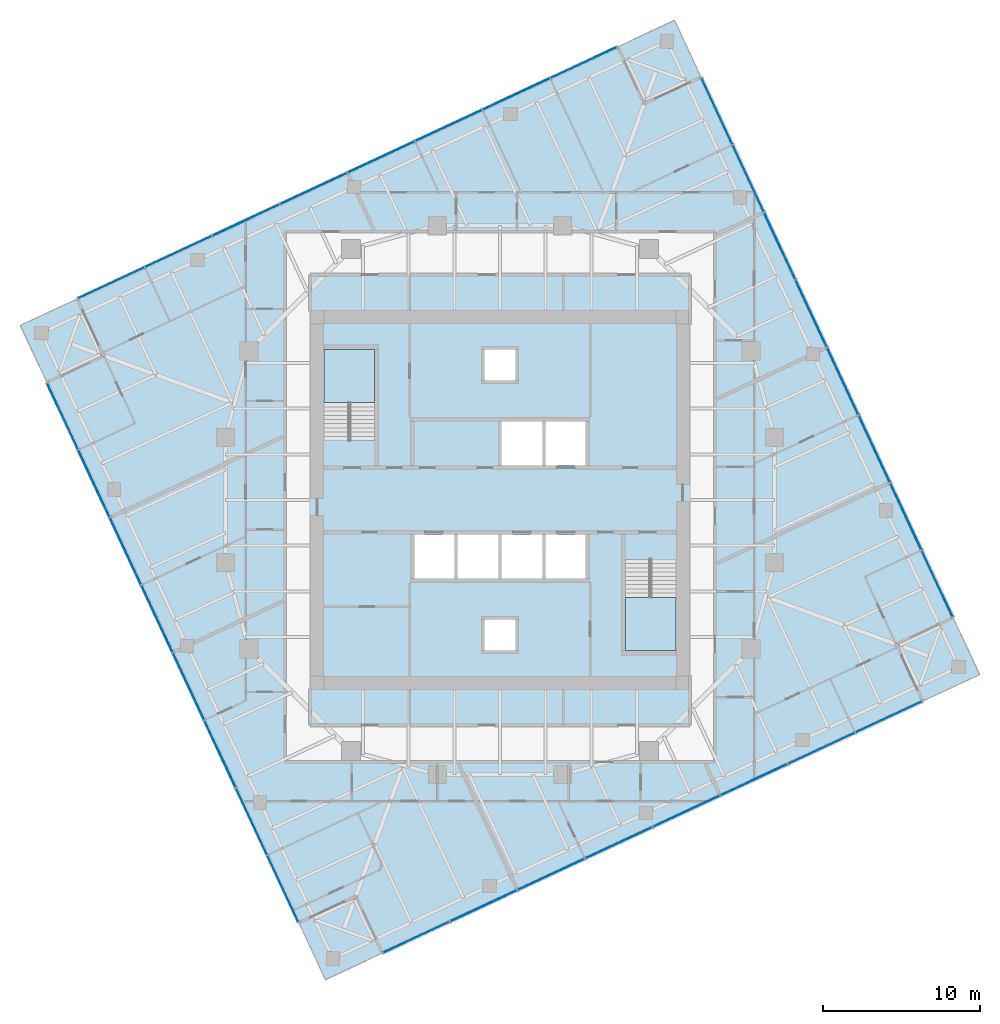
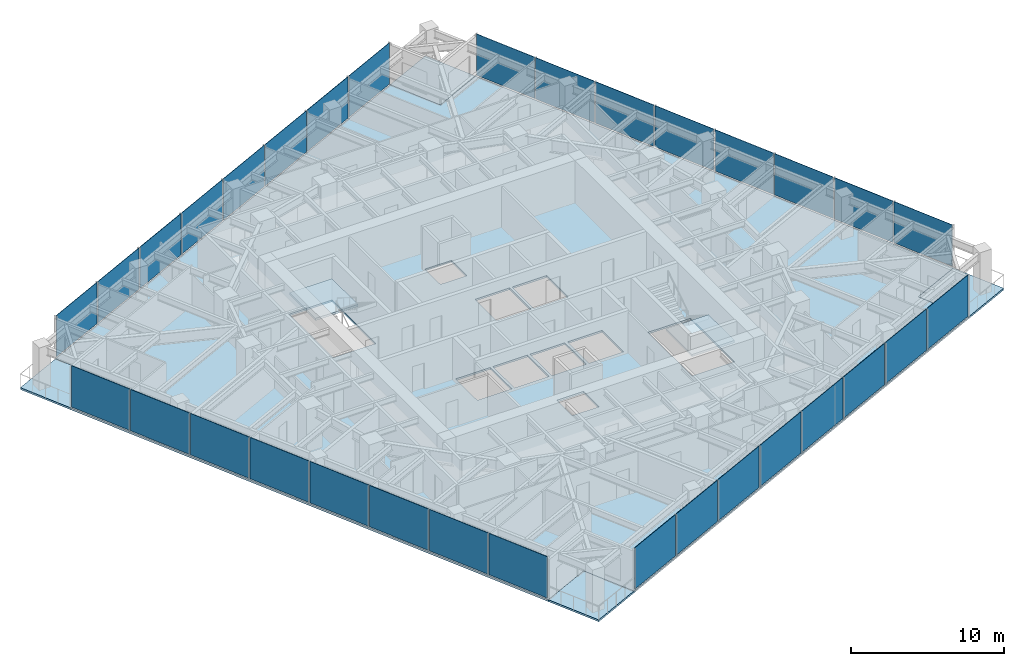
# One storey, part 6 of 12: 32 plates, 7 slabs, 6 elements without a shape of their own.
"""IFC4 building model written with IfcOpenShell, lengths in metres."""

from ifc_helpers import new_model, si_unit, direction, frame, origin, origin_2d, place, context, subcontext, project, spatial, polyline, rectangle, outline, extrude, material, layer, layer_set, type_object, element, aggregate, save


model = new_model("IFC4")

# Units and contexts
model_context = context("Model", 3, precision=1e-05, world=origin(), true_north=direction((0.0, 1.0)))
body_context = subcontext(model_context, "Body", "Model", "MODEL_VIEW")
ifc_project = project(units=[si_unit("LENGTHUNIT", "METRE"), si_unit("AREAUNIT", "SQUARE_METRE"), si_unit("VOLUMEUNIT", "CUBIC_METRE"), si_unit("PLANEANGLEUNIT", "RADIAN"), si_unit("MASSUNIT", "GRAM", prefix="KILO")], contexts=[model_context])

# Site, building, storey
site_placement = place(None, origin())
site = spatial("IfcSite", under=ifc_project, at=site_placement, CompositionType="ELEMENT")
building_placement = place(site_placement, origin())
building = spatial("IfcBuilding", under=site, at=building_placement, Name="Torsade Residences", CompositionType="ELEMENT")
storey_placement = place(building_placement, frame((0.0, 0.0, 189.60009765625)))
storey = spatial("IfcBuildingStorey", under=building, at=storey_placement, Name="L52", CompositionType="ELEMENT", Elevation=189.60009765625)

# Slab
ifc_material_1 = material(Name="Concrete 40 MPa", Category="concrete")
ifc_layer_1 = layer(ifc_material_1, 0.14990234375)
ifc_layer_set_1 = layer_set([ifc_layer_1], Name="Concrete 40 MPa")
slab_type_1 = type_object("IfcSlabType", Name="COMPOSITE FLOOR SLAB 150", PredefinedType="FLOOR", material=ifc_layer_set_1)
slab_1_placement = place(storey_placement, frame((0.0, 0.0, -0.150146484375)))
element("IfcSlab", 1, at=slab_1_placement, inside=storey, type_object=slab_type_1, Name="Floor slab L52", PredefinedType="FLOOR", context=body_context, shape_type="SweptSolid", body=[
    extrude(outline(polyline([(32.50048828125, 1.125244140625), (66.940185546875, 17.1845703125), (65.24951171875, 20.809814453125), (68.874755859375, 22.50048828125), (52.8154296875, 56.940185546875), (49.190185546875, 55.24951171875), (47.49951171875, 58.874755859375), (13.059814453125, 42.8154296875), (14.75048828125, 39.190185546875), (11.125244140625, 37.49951171875), (27.1845703125, 3.059814453125), (30.809814453125, 4.75048828125), (32.50048828125, 1.125244140625)]), holes=[polyline([(51.199951171875, 26.1201171875), (48.0, 26.1201171875), (48.0, 20.39990234375), (51.199951171875, 20.39990234375), (51.199951171875, 26.1201171875)]), polyline([(45.5, 27.800048828125), (42.89990234375, 27.800048828125), (42.89990234375, 25.0), (45.5, 25.0), (45.5, 27.800048828125)]), polyline([(45.5, 35.0), (42.89990234375, 35.0), (42.89990234375, 32.199951171875), (45.5, 32.199951171875), (45.5, 35.0)]), polyline([(42.699951171875, 25.0), (42.699951171875, 27.800048828125), (40.10009765625, 27.800048828125), (40.10009765625, 25.0), (42.699951171875, 25.0)]), polyline([(42.699951171875, 35.0), (40.10009765625, 35.0), (40.10009765625, 32.199951171875), (42.699951171875, 32.199951171875), (42.699951171875, 35.0)]), polyline([(41.0, 22.39990234375), (39.0, 22.39990234375), (39.0, 20.39990234375), (41.0, 20.39990234375), (41.0, 22.39990234375)]), polyline([(41.0, 37.60009765625), (41.0, 39.60009765625), (39.0, 39.60009765625), (39.0, 37.60009765625), (41.0, 37.60009765625)]), polyline([(39.89990234375, 25.0), (39.89990234375, 27.800048828125), (37.300048828125, 27.800048828125), (37.300048828125, 25.0), (39.89990234375, 25.0)]), polyline([(37.10009765625, 27.800048828125), (34.5, 27.800048828125), (34.5, 25.0), (37.10009765625, 25.0), (37.10009765625, 27.800048828125)]), polyline([(32.0, 33.8798828125), (32.0, 39.60009765625), (28.800048828125, 39.60009765625), (28.800048828125, 33.8798828125), (32.0, 33.8798828125)])]), origin(), (0.0, 0.0, 1.0), 0.150146484375),
])

# Curtain wall, plates
ifc_material_2 = material(Name="Aluminium and glass", Category="aluminium")
curtain_wall_type = type_object("IfcCurtainWallType", Name="FRITTED GLASS CURTAIN WALL MID ZONE", PredefinedType="NOTDEFINED", material=ifc_material_2)
curtain_wall_1_placement = place(storey_placement, origin())
curtain_wall_1 = element("IfcCurtainWall", 2, at=curtain_wall_1_placement, inside=storey, type_object=curtain_wall_type, Name="Curtain wall L52 face 1", PredefinedType="NOTDEFINED")
ifc_material_3 = material(Name="Laminated glass", Category="glass")
ifc_layer_2 = layer(ifc_material_3, 0.031982421875)
ifc_layer_set_2 = layer_set([ifc_layer_2], Name="Laminated glass")
plate_type_1 = type_object("IfcPlateType", Name="FRITTED GLASS PANEL", PredefinedType="CURTAIN_PANEL", material=ifc_layer_set_2)
plate_1_placement = place(storey_placement, frame((34.6708984375, 2.137451171875, 0.10986328125), z_axis=(0.0, 0.0, 1.0), x_axis=(0.906307786926, 0.422618261978, 0.0)))
plate_1 = element("IfcPlate", 3, at=plate_1_placement, type_object=plate_type_1, Name="Panel 1", PredefinedType="CURTAIN_PANEL", context=body_context, shape_type="SweptSolid", body=[
    extrude(rectangle(XDim=4.6298828125, YDim=0.031982421875, at=origin_2d()), origin(), (0.0, 0.0, 1.0), 3.2900390625),
])
plate_2_placement = place(storey_placement, frame((43.2626953125, 6.143798828125, 0.10986328125), z_axis=(0.0, 0.0, 1.0), x_axis=(0.906307786926, 0.422618261978, 0.0)))
plate_2 = element("IfcPlate", 4, at=plate_2_placement, type_object=plate_type_1, Name="Panel 3", PredefinedType="CURTAIN_PANEL", context=body_context, shape_type="SweptSolid", body=[
    extrude(rectangle(XDim=4.669921875, YDim=0.031982421875, at=origin_2d()), origin(), (0.0, 0.0, 1.0), 3.2900390625),
])
plate_3_placement = place(storey_placement, frame((47.567626953125, 8.151123046875, 0.10986328125), z_axis=(0.0, 0.0, 1.0), x_axis=(0.906307786926, 0.422618261978, 0.0)))
plate_3 = element("IfcPlate", 5, at=plate_3_placement, type_object=plate_type_1, Name="Panel 4", PredefinedType="CURTAIN_PANEL", context=body_context, shape_type="SweptSolid", body=[
    extrude(rectangle(XDim=4.669921875, YDim=0.031982421875, at=origin_2d()), origin(), (0.0, 0.0, 1.0), 3.2900390625),
])
plate_4_placement = place(storey_placement, frame((51.872802734375, 10.15869140625, 0.10986328125), z_axis=(0.0, 0.0, 1.0), x_axis=(0.906307786926, 0.422618261978, 0.0)))
plate_4 = element("IfcPlate", 6, at=plate_4_placement, type_object=plate_type_1, Name="Panel 5", PredefinedType="CURTAIN_PANEL", context=body_context, shape_type="SweptSolid", body=[
    extrude(rectangle(XDim=4.669921875, YDim=0.031982421875, at=origin_2d()), origin(), (0.0, 0.0, 1.0), 3.2900390625),
])
plate_5_placement = place(storey_placement, frame((60.482666015625, 14.173583984375, 0.10986328125), z_axis=(0.0, 0.0, 1.0), x_axis=(0.906307786926, 0.422618261978, 0.0)))
plate_5 = element("IfcPlate", 7, at=plate_5_placement, type_object=plate_type_1, Name="Panel 7", PredefinedType="CURTAIN_PANEL", context=body_context, shape_type="SweptSolid", body=[
    extrude(rectangle(XDim=4.669921875, YDim=0.031982421875, at=origin_2d()), origin(), (0.0, 0.0, 1.0), 3.2900390625),
])
plate_6_placement = place(storey_placement, frame((64.76953125, 16.172607421875, 0.10986328125), z_axis=(0.0, 0.0, 1.0), x_axis=(0.906307786926, 0.422618261978, 0.0)))
plate_6 = element("IfcPlate", 8, at=plate_6_placement, type_object=plate_type_1, Name="Panel 8", PredefinedType="CURTAIN_PANEL", context=body_context, shape_type="SweptSolid", body=[
    extrude(rectangle(XDim=4.6298828125, YDim=0.031982421875, at=origin_2d()), origin(), (0.0, 0.0, 1.0), 3.2900390625),
])

curtain_wall_2_placement = place(storey_placement, origin())
curtain_wall_2 = element("IfcCurtainWall", 9, at=curtain_wall_2_placement, inside=storey, type_object=curtain_wall_type, Name="Curtain wall L52 face 4", PredefinedType="NOTDEFINED")
plate_7_placement = place(storey_placement, frame((67.862548828125, 24.6708984375, 0.10986328125), z_axis=(0.0, 0.0, 1.0), x_axis=(-0.422618261978, 0.906307786926, 0.0)))
plate_7 = element("IfcPlate", 10, at=plate_7_placement, type_object=plate_type_1, Name="Panel 1", PredefinedType="CURTAIN_PANEL", context=body_context, shape_type="SweptSolid", body=[
    extrude(rectangle(XDim=4.6298828125, YDim=0.031982421875, at=origin_2d()), origin(), (0.0, 0.0, 1.0), 3.2900390625),
])
plate_8_placement = place(storey_placement, frame((63.856201171875, 33.2626953125, 0.10986328125), z_axis=(0.0, 0.0, 1.0), x_axis=(-0.422618261978, 0.906307786926, 0.0)))
plate_8 = element("IfcPlate", 11, at=plate_8_placement, type_object=plate_type_1, Name="Panel 3", PredefinedType="CURTAIN_PANEL", context=body_context, shape_type="SweptSolid", body=[
    extrude(rectangle(XDim=4.669921875, YDim=0.031982421875, at=origin_2d()), origin(), (0.0, 0.0, 1.0), 3.2900390625),
])
plate_9_placement = place(storey_placement, frame((61.848876953125, 37.567626953125, 0.10986328125), z_axis=(0.0, 0.0, 1.0), x_axis=(-0.422618261978, 0.906307786926, 0.0)))
plate_9 = element("IfcPlate", 12, at=plate_9_placement, type_object=plate_type_1, Name="Panel 4", PredefinedType="CURTAIN_PANEL", context=body_context, shape_type="SweptSolid", body=[
    extrude(rectangle(XDim=4.669921875, YDim=0.031982421875, at=origin_2d()), origin(), (0.0, 0.0, 1.0), 3.2900390625),
])
plate_10_placement = place(storey_placement, frame((59.84130859375, 41.872802734375, 0.10986328125), z_axis=(0.0, 0.0, 1.0), x_axis=(-0.422618261978, 0.906307786926, 0.0)))
plate_10 = element("IfcPlate", 13, at=plate_10_placement, type_object=plate_type_1, Name="Panel 5", PredefinedType="CURTAIN_PANEL", context=body_context, shape_type="SweptSolid", body=[
    extrude(rectangle(XDim=4.669921875, YDim=0.031982421875, at=origin_2d()), origin(), (0.0, 0.0, 1.0), 3.2900390625),
])
plate_11_placement = place(storey_placement, frame((55.826416015625, 50.482666015625, 0.10986328125), z_axis=(0.0, 0.0, 1.0), x_axis=(-0.422618261978, 0.906307786926, 0.0)))
plate_11 = element("IfcPlate", 14, at=plate_11_placement, type_object=plate_type_1, Name="Panel 7", PredefinedType="CURTAIN_PANEL", context=body_context, shape_type="SweptSolid", body=[
    extrude(rectangle(XDim=4.669921875, YDim=0.031982421875, at=origin_2d()), origin(), (0.0, 0.0, 1.0), 3.2900390625),
])
plate_12_placement = place(storey_placement, frame((53.827392578125, 54.76953125, 0.10986328125), z_axis=(0.0, 0.0, 1.0), x_axis=(-0.422618261978, 0.906307786926, 0.0)))
plate_12 = element("IfcPlate", 15, at=plate_12_placement, type_object=plate_type_1, Name="Panel 8", PredefinedType="CURTAIN_PANEL", context=body_context, shape_type="SweptSolid", body=[
    extrude(rectangle(XDim=4.6298828125, YDim=0.031982421875, at=origin_2d()), origin(), (0.0, 0.0, 1.0), 3.2900390625),
])

curtain_wall_3_placement = place(storey_placement, origin())
curtain_wall_3 = element("IfcCurtainWall", 16, at=curtain_wall_3_placement, inside=storey, type_object=curtain_wall_type, Name="Curtain wall L52 face 7", PredefinedType="NOTDEFINED")
plate_13_placement = place(storey_placement, frame((45.3291015625, 57.862548828125, 0.10986328125), z_axis=(0.0, 0.0, 1.0), x_axis=(-0.906307786926, -0.422618261978, 0.0)))
plate_13 = element("IfcPlate", 17, at=plate_13_placement, type_object=plate_type_1, Name="Panel 1", PredefinedType="CURTAIN_PANEL", context=body_context, shape_type="SweptSolid", body=[
    extrude(rectangle(XDim=4.6298828125, YDim=0.031982421875, at=origin_2d()), origin(), (0.0, 0.0, 1.0), 3.2900390625),
])
plate_14_placement = place(storey_placement, frame((36.7373046875, 53.856201171875, 0.10986328125), z_axis=(0.0, 0.0, 1.0), x_axis=(-0.906307786926, -0.422618261978, 0.0)))
plate_14 = element("IfcPlate", 18, at=plate_14_placement, type_object=plate_type_1, Name="Panel 3", PredefinedType="CURTAIN_PANEL", context=body_context, shape_type="SweptSolid", body=[
    extrude(rectangle(XDim=4.669921875, YDim=0.031982421875, at=origin_2d()), origin(), (0.0, 0.0, 1.0), 3.2900390625),
])
plate_15_placement = place(storey_placement, frame((32.432373046875, 51.848876953125, 0.10986328125), z_axis=(0.0, 0.0, 1.0), x_axis=(-0.906307786926, -0.422618261978, 0.0)))
plate_15 = element("IfcPlate", 19, at=plate_15_placement, type_object=plate_type_1, Name="Panel 4", PredefinedType="CURTAIN_PANEL", context=body_context, shape_type="SweptSolid", body=[
    extrude(rectangle(XDim=4.669921875, YDim=0.031982421875, at=origin_2d()), origin(), (0.0, 0.0, 1.0), 3.2900390625),
])
plate_16_placement = place(storey_placement, frame((28.127197265625, 49.84130859375, 0.10986328125), z_axis=(0.0, 0.0, 1.0), x_axis=(-0.906307786926, -0.422618261978, 0.0)))
plate_16 = element("IfcPlate", 20, at=plate_16_placement, type_object=plate_type_1, Name="Panel 5", PredefinedType="CURTAIN_PANEL", context=body_context, shape_type="SweptSolid", body=[
    extrude(rectangle(XDim=4.669921875, YDim=0.031982421875, at=origin_2d()), origin(), (0.0, 0.0, 1.0), 3.2900390625),
])
plate_17_placement = place(storey_placement, frame((19.517333984375, 45.826416015625, 0.10986328125), z_axis=(0.0, 0.0, 1.0), x_axis=(-0.906307786926, -0.422618261978, 0.0)))
plate_17 = element("IfcPlate", 21, at=plate_17_placement, type_object=plate_type_1, Name="Panel 7", PredefinedType="CURTAIN_PANEL", context=body_context, shape_type="SweptSolid", body=[
    extrude(rectangle(XDim=4.669921875, YDim=0.031982421875, at=origin_2d()), origin(), (0.0, 0.0, 1.0), 3.2900390625),
])
plate_18_placement = place(storey_placement, frame((15.23046875, 43.827392578125, 0.10986328125), z_axis=(0.0, 0.0, 1.0), x_axis=(-0.906307786926, -0.422618261978, 0.0)))
plate_18 = element("IfcPlate", 22, at=plate_18_placement, type_object=plate_type_1, Name="Panel 8", PredefinedType="CURTAIN_PANEL", context=body_context, shape_type="SweptSolid", body=[
    extrude(rectangle(XDim=4.6298828125, YDim=0.031982421875, at=origin_2d()), origin(), (0.0, 0.0, 1.0), 3.2900390625),
])

curtain_wall_4_placement = place(storey_placement, origin())
curtain_wall_4 = element("IfcCurtainWall", 23, at=curtain_wall_4_placement, inside=storey, type_object=curtain_wall_type, Name="Curtain wall L52 face 10", PredefinedType="NOTDEFINED")
plate_19_placement = place(storey_placement, frame((12.137451171875, 35.3291015625, 0.10986328125), z_axis=(0.0, 0.0, 1.0), x_axis=(0.422618261978, -0.906307786926, 0.0)))
plate_19 = element("IfcPlate", 24, at=plate_19_placement, type_object=plate_type_1, Name="Panel 1", PredefinedType="CURTAIN_PANEL", context=body_context, shape_type="SweptSolid", body=[
    extrude(rectangle(XDim=4.6298828125, YDim=0.031982421875, at=origin_2d()), origin(), (0.0, 0.0, 1.0), 3.2900390625),
])
plate_20_placement = place(storey_placement, frame((16.143798828125, 26.7373046875, 0.10986328125), z_axis=(0.0, 0.0, 1.0), x_axis=(0.422618261978, -0.906307786926, 0.0)))
plate_20 = element("IfcPlate", 25, at=plate_20_placement, type_object=plate_type_1, Name="Panel 3", PredefinedType="CURTAIN_PANEL", context=body_context, shape_type="SweptSolid", body=[
    extrude(rectangle(XDim=4.669921875, YDim=0.031982421875, at=origin_2d()), origin(), (0.0, 0.0, 1.0), 3.2900390625),
])
plate_21_placement = place(storey_placement, frame((18.151123046875, 22.432373046875, 0.10986328125), z_axis=(0.0, 0.0, 1.0), x_axis=(0.422618261978, -0.906307786926, 0.0)))
plate_21 = element("IfcPlate", 26, at=plate_21_placement, type_object=plate_type_1, Name="Panel 4", PredefinedType="CURTAIN_PANEL", context=body_context, shape_type="SweptSolid", body=[
    extrude(rectangle(XDim=4.669921875, YDim=0.031982421875, at=origin_2d()), origin(), (0.0, 0.0, 1.0), 3.2900390625),
])
plate_22_placement = place(storey_placement, frame((20.15869140625, 18.127197265625, 0.10986328125), z_axis=(0.0, 0.0, 1.0), x_axis=(0.422618261978, -0.906307786926, 0.0)))
plate_22 = element("IfcPlate", 27, at=plate_22_placement, type_object=plate_type_1, Name="Panel 5", PredefinedType="CURTAIN_PANEL", context=body_context, shape_type="SweptSolid", body=[
    extrude(rectangle(XDim=4.669921875, YDim=0.031982421875, at=origin_2d()), origin(), (0.0, 0.0, 1.0), 3.2900390625),
])
plate_23_placement = place(storey_placement, frame((24.173583984375, 9.517333984375, 0.10986328125), z_axis=(0.0, 0.0, 1.0), x_axis=(0.422618261978, -0.906307786926, 0.0)))
plate_23 = element("IfcPlate", 28, at=plate_23_placement, type_object=plate_type_1, Name="Panel 7", PredefinedType="CURTAIN_PANEL", context=body_context, shape_type="SweptSolid", body=[
    extrude(rectangle(XDim=4.669921875, YDim=0.031982421875, at=origin_2d()), origin(), (0.0, 0.0, 1.0), 3.2900390625),
])
plate_24_placement = place(storey_placement, frame((26.172607421875, 5.23046875, 0.10986328125), z_axis=(0.0, 0.0, 1.0), x_axis=(0.422618261978, -0.906307786926, 0.0)))
plate_24 = element("IfcPlate", 29, at=plate_24_placement, type_object=plate_type_1, Name="Panel 8", PredefinedType="CURTAIN_PANEL", context=body_context, shape_type="SweptSolid", body=[
    extrude(rectangle(XDim=4.6298828125, YDim=0.031982421875, at=origin_2d()), origin(), (0.0, 0.0, 1.0), 3.2900390625),
])

# Plate
ifc_material_4 = material(Name="Laminated glass", Category="glass")
ifc_layer_3 = layer(ifc_material_4, 0.0400390625)
ifc_layer_set_3 = layer_set([ifc_layer_3], Name="Laminated glass")
plate_type_2 = type_object("IfcPlateType", Name="OPERABLE VENT PANEL", PredefinedType="CURTAIN_PANEL", material=ifc_layer_set_3)
plate_25_placement = place(storey_placement, frame((38.957763671875, 4.13623046875, 0.10986328125), z_axis=(0.0, 0.0, 1.0), x_axis=(0.906307786926, 0.422618261978, 0.0)))
plate_25 = element("IfcPlate", 30, at=plate_25_placement, type_object=plate_type_2, Name="Panel 2", PredefinedType="CURTAIN_PANEL", context=body_context, shape_type="SweptSolid", body=[
    extrude(rectangle(XDim=4.669921875, YDim=0.0400390625, at=origin_2d()), origin(), (0.0, 0.0, 1.0), 3.2900390625),
])

plate_26_placement = place(storey_placement, frame((56.177734375, 12.166015625, 0.10986328125), z_axis=(0.0, 0.0, 1.0), x_axis=(0.906307786926, 0.422618261978, 0.0)))
plate_26 = element("IfcPlate", 31, at=plate_26_placement, type_object=plate_type_2, Name="Panel 6", PredefinedType="CURTAIN_PANEL", context=body_context, shape_type="SweptSolid", body=[
    extrude(rectangle(XDim=4.669921875, YDim=0.0400390625, at=origin_2d()), origin(), (0.0, 0.0, 1.0), 3.2900390625),
])

aggregate(curtain_wall_1, [plate_1, plate_25, plate_2, plate_3, plate_4, plate_26, plate_5, plate_6])

plate_27_placement = place(storey_placement, frame((65.86376953125, 28.957763671875, 0.10986328125), z_axis=(0.0, 0.0, 1.0), x_axis=(-0.422618261978, 0.906307786926, 0.0)))
plate_27 = element("IfcPlate", 32, at=plate_27_placement, type_object=plate_type_2, Name="Panel 2", PredefinedType="CURTAIN_PANEL", context=body_context, shape_type="SweptSolid", body=[
    extrude(rectangle(XDim=4.669921875, YDim=0.0400390625, at=origin_2d()), origin(), (0.0, 0.0, 1.0), 3.2900390625),
])

plate_28_placement = place(storey_placement, frame((57.833984375, 46.177734375, 0.10986328125), z_axis=(0.0, 0.0, 1.0), x_axis=(-0.422618261978, 0.906307786926, 0.0)))
plate_28 = element("IfcPlate", 33, at=plate_28_placement, type_object=plate_type_2, Name="Panel 6", PredefinedType="CURTAIN_PANEL", context=body_context, shape_type="SweptSolid", body=[
    extrude(rectangle(XDim=4.669921875, YDim=0.0400390625, at=origin_2d()), origin(), (0.0, 0.0, 1.0), 3.2900390625),
])

aggregate(curtain_wall_2, [plate_7, plate_27, plate_8, plate_9, plate_10, plate_28, plate_11, plate_12])

plate_29_placement = place(storey_placement, frame((41.042236328125, 55.86376953125, 0.10986328125), z_axis=(0.0, 0.0, 1.0), x_axis=(-0.906307786926, -0.422618261978, 0.0)))
plate_29 = element("IfcPlate", 34, at=plate_29_placement, type_object=plate_type_2, Name="Panel 2", PredefinedType="CURTAIN_PANEL", context=body_context, shape_type="SweptSolid", body=[
    extrude(rectangle(XDim=4.669921875, YDim=0.0400390625, at=origin_2d()), origin(), (0.0, 0.0, 1.0), 3.2900390625),
])

plate_30_placement = place(storey_placement, frame((23.822265625, 47.833984375, 0.10986328125), z_axis=(0.0, 0.0, 1.0), x_axis=(-0.906307786926, -0.422618261978, 0.0)))
plate_30 = element("IfcPlate", 35, at=plate_30_placement, type_object=plate_type_2, Name="Panel 6", PredefinedType="CURTAIN_PANEL", context=body_context, shape_type="SweptSolid", body=[
    extrude(rectangle(XDim=4.669921875, YDim=0.0400390625, at=origin_2d()), origin(), (0.0, 0.0, 1.0), 3.2900390625),
])

aggregate(curtain_wall_3, [plate_13, plate_29, plate_14, plate_15, plate_16, plate_30, plate_17, plate_18])

plate_31_placement = place(storey_placement, frame((14.13623046875, 31.042236328125, 0.10986328125), z_axis=(0.0, 0.0, 1.0), x_axis=(0.422618261978, -0.906307786926, 0.0)))
plate_31 = element("IfcPlate", 36, at=plate_31_placement, type_object=plate_type_2, Name="Panel 2", PredefinedType="CURTAIN_PANEL", context=body_context, shape_type="SweptSolid", body=[
    extrude(rectangle(XDim=4.669921875, YDim=0.0400390625, at=origin_2d()), origin(), (0.0, 0.0, 1.0), 3.2900390625),
])

plate_32_placement = place(storey_placement, frame((22.166015625, 13.822265625, 0.10986328125), z_axis=(0.0, 0.0, 1.0), x_axis=(0.422618261978, -0.906307786926, 0.0)))
plate_32 = element("IfcPlate", 37, at=plate_32_placement, type_object=plate_type_2, Name="Panel 6", PredefinedType="CURTAIN_PANEL", context=body_context, shape_type="SweptSolid", body=[
    extrude(rectangle(XDim=4.669921875, YDim=0.0400390625, at=origin_2d()), origin(), (0.0, 0.0, 1.0), 3.2900390625),
])

aggregate(curtain_wall_4, [plate_19, plate_31, plate_20, plate_21, plate_22, plate_32, plate_23, plate_24])

# Stair, slab
ifc_material_5 = material(Name="Precast concrete 40 MPa", Category="concrete")
stair_type = type_object("IfcStairType", Name="HALF-TURN FIRE STAIR 1500x3400", PredefinedType="HALF_TURN_STAIR", material=ifc_material_5)
stair_1_placement = place(storey_placement, origin())
stair_1 = element("IfcStair", 38, at=stair_1_placement, inside=storey, type_object=stair_type, Name="Stair ST1 L52", PredefinedType="HALF_TURN_STAIR")
ifc_material_6 = material(Name="Precast concrete 40 MPa", Category="concrete")
ifc_layer_4 = layer(ifc_material_6, 0.179931640625)
ifc_layer_set_4 = layer_set([ifc_layer_4], Name="Precast concrete 40 MPa")
slab_type_2 = type_object("IfcSlabType", Name="PRECAST STAIR LANDING 180", PredefinedType="LANDING", material=ifc_layer_set_4)
slab_2_placement = place(storey_placement, frame((0.0, 0.0, 1.52001953125)))
slab_2 = element("IfcSlab", 39, at=slab_2_placement, type_object=slab_type_2, Name="ST1 landing 1", PredefinedType="LANDING", context=body_context, shape_type="SweptSolid", body=[
    extrude(outline(polyline([(28.800048828125, 36.2099609375), (32.0, 36.2099609375), (32.0, 39.60009765625), (28.800048828125, 39.60009765625), (28.800048828125, 36.2099609375)])), origin(), (0.0, 0.0, 1.0), 0.179931640625),
])
aggregate(stair_1, [slab_2])

stair_2_placement = place(storey_placement, origin())
stair_2 = element("IfcStair", 40, at=stair_2_placement, inside=storey, type_object=stair_type, Name="Stair ST2 L52", PredefinedType="HALF_TURN_STAIR")
slab_3_placement = place(storey_placement, frame((0.0, 0.0, 1.52001953125)))
slab_3 = element("IfcSlab", 41, at=slab_3_placement, type_object=slab_type_2, Name="ST2 landing 1", PredefinedType="LANDING", context=body_context, shape_type="SweptSolid", body=[
    extrude(outline(polyline([(48.0, 20.39990234375), (51.199951171875, 20.39990234375), (51.199951171875, 23.7900390625), (48.0, 23.7900390625), (48.0, 20.39990234375)])), origin(), (0.0, 0.0, 1.0), 0.179931640625),
])
aggregate(stair_2, [slab_3])

# Slabs
ifc_material_7 = material(Name="Concrete 40 MPa", Category="concrete")
ifc_layer_5 = layer(ifc_material_7, 0.14990234375)
ifc_layer_set_5 = layer_set([ifc_layer_5], Name="Concrete 40 MPa")
slab_type_3 = type_object("IfcSlabType", Name="TERRACE SLAB 150", PredefinedType="FLOOR", material=ifc_layer_set_5)
slab_4_placement = place(storey_placement, frame((0.0, 0.0, -0.150146484375)))
element("IfcSlab", 42, at=slab_4_placement, inside=storey, type_object=slab_type_3, Name="Corner terrace slab SE L52", PredefinedType="FLOOR", context=body_context, shape_type="SweptSolid", body=[
    extrude(outline(polyline([(66.940185546875, 17.1845703125), (70.565185546875, 18.875244140625), (68.874755859375, 22.50048828125), (65.24951171875, 20.809814453125), (66.940185546875, 17.1845703125)])), origin(), (0.0, 0.0, 1.0), 0.150146484375),
])
slab_5_placement = place(storey_placement, frame((0.0, 0.0, -0.150146484375)))
element("IfcSlab", 43, at=slab_5_placement, inside=storey, type_object=slab_type_3, Name="Corner terrace slab NE L52", PredefinedType="FLOOR", context=body_context, shape_type="SweptSolid", body=[
    extrude(outline(polyline([(49.190185546875, 55.24951171875), (52.8154296875, 56.940185546875), (51.124755859375, 60.565185546875), (47.49951171875, 58.874755859375), (49.190185546875, 55.24951171875)])), origin(), (0.0, 0.0, 1.0), 0.150146484375),
])
slab_6_placement = place(storey_placement, frame((0.0, 0.0, -0.150146484375)))
element("IfcSlab", 44, at=slab_6_placement, inside=storey, type_object=slab_type_3, Name="Corner terrace slab NW L52", PredefinedType="FLOOR", context=body_context, shape_type="SweptSolid", body=[
    extrude(outline(polyline([(11.125244140625, 37.49951171875), (14.75048828125, 39.190185546875), (13.059814453125, 42.8154296875), (9.434814453125, 41.124755859375), (11.125244140625, 37.49951171875)])), origin(), (0.0, 0.0, 1.0), 0.150146484375),
])
slab_7_placement = place(storey_placement, frame((0.0, 0.0, -0.150146484375)))
element("IfcSlab", 45, at=slab_7_placement, inside=storey, type_object=slab_type_3, Name="Corner terrace slab SW L52", PredefinedType="FLOOR", context=body_context, shape_type="SweptSolid", body=[
    extrude(outline(polyline([(28.875244140625, -0.565185546875), (32.50048828125, 1.125244140625), (30.809814453125, 4.75048828125), (27.1845703125, 3.059814453125), (28.875244140625, -0.565185546875)])), origin(), (0.0, 0.0, 1.0), 0.150146484375),
])

save(model, "model.ifc")
